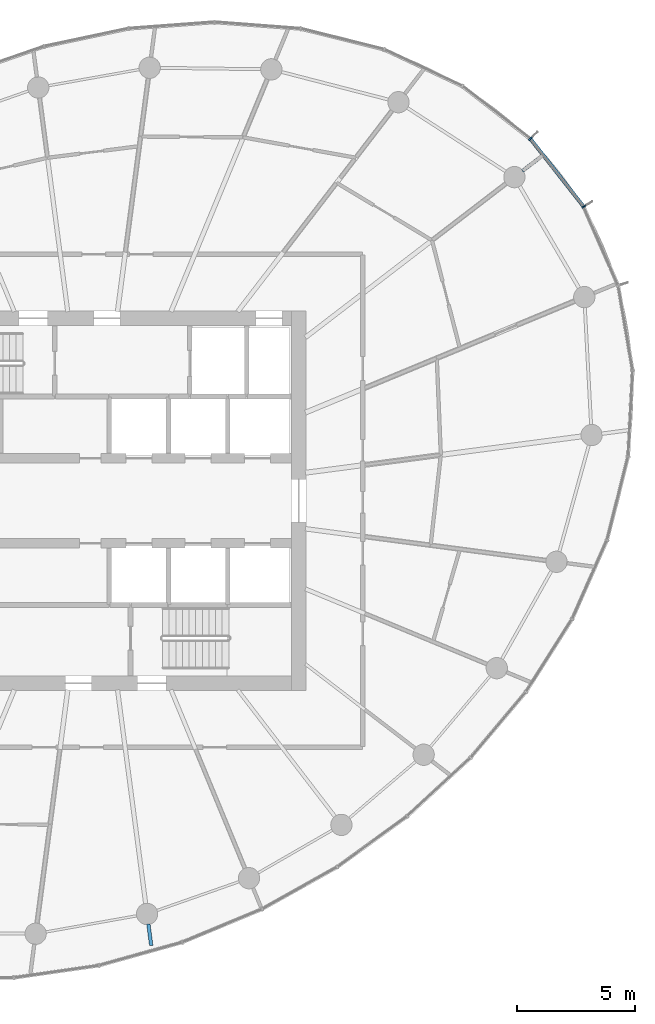
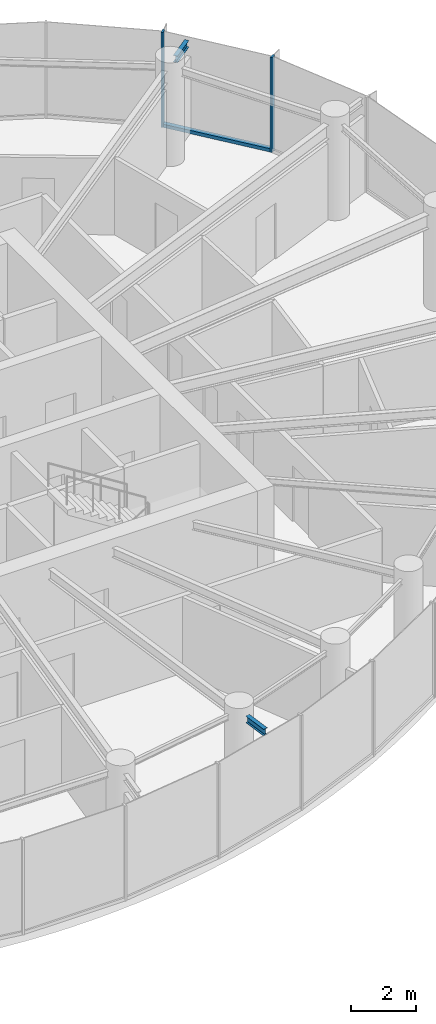
# One storey, part 7 of 14: 3 members, 2 beams, 1 element without a shape of its own.
"""IFC4 building model written with IfcOpenShell, lengths in metres."""

import ifcopenshell
import ifcopenshell.guid

model = None  # the IFC model being written
_history = None  # IfcOwnerHistory: only IFC2X3 demands one
_inside = {}  # id of a spatial element -> (the spatial element, [elements in it])
_under = {}  # id of a project, library or spatial element -> (it, [spatial elements below it])
_declared = {}  # id of a project -> (the project, [libraries it declares])
_typed = {}  # id of a type object -> (the type object, [elements of that type])
_made_of = {}  # id of a material, layer set ... -> (it, [elements and type objects made of it])


def new_model(schema):
    """Start an empty IFC model of exactly this schema.

    Asked for "IFC4X3", IfcOpenShell would pick the latest addendum, in which some entities
    have other attributes; the version numbers below select the first issue.
    IFC2X3 requires an IfcOwnerHistory on every rooted entity: one is made here for all.
    """
    global model, _history
    if schema == "IFC4X3":
        model = ifcopenshell.file(schema_version=(4, 3, 0, 0))
    else:
        model = ifcopenshell.file(schema=schema)
    _inside.clear()
    _under.clear()
    _declared.clear()
    _typed.clear()
    _made_of.clear()
    _history = None
    if model.schema == "IFC2X3":
        org = make("IfcOrganization", Name="unknown")
        user = make(
            "IfcPersonAndOrganization",
            ThePerson=make("IfcPerson", FamilyName="unknown"),
            TheOrganization=org,
        )
        app = make(
            "IfcApplication",
            ApplicationDeveloper=org,
            Version="unknown",
            ApplicationFullName="unknown",
            ApplicationIdentifier="unknown",
        )
        _history = make(
            "IfcOwnerHistory",
            OwningUser=user,
            OwningApplication=app,
            ChangeAction="ADDED",
            CreationDate=0,
        )
    return model


def make(cls, **values):
    """One entity of the class cls with the attributes given. An attribute that is None is left unset."""
    return model.create_entity(
        cls, **{name: value for name, value in values.items() if value is not None}
    )


def rooted(cls, **values):
    """An entity with a GlobalId (a new one), such as an element, a storey or a relation."""
    return make(cls, GlobalId=ifcopenshell.guid.new(), OwnerHistory=_history, **values)


def si_unit(unit_type, name, prefix=None):
    """IfcSIUnit, for example si_unit("LENGTHUNIT", "METRE", prefix="MILLI")."""
    return make("IfcSIUnit", UnitType=unit_type, Prefix=prefix, Name=name)


def assignment(units):
    """IfcUnitAssignment: the units of a project."""
    return None if units is None else make("IfcUnitAssignment", Units=units)


def point(xyz):
    """IfcCartesianPoint."""
    return None if xyz is None else make("IfcCartesianPoint", Coordinates=xyz)


def direction(xyz):
    """IfcDirection."""
    return None if xyz is None else make("IfcDirection", DirectionRatios=xyz)


def frame(location, z_axis=None, x_axis=None):
    """IfcAxis2Placement3D, a coordinate frame: its origin and axes. An axis left out is left unset."""
    return make(
        "IfcAxis2Placement3D",
        Location=point(location),
        Axis=direction(z_axis),
        RefDirection=direction(x_axis),
    )


def frame_2d(location, x_axis=None):
    """IfcAxis2Placement2D, a coordinate frame in the plane: its origin and x axis."""
    return make(
        "IfcAxis2Placement2D", Location=point(location), RefDirection=direction(x_axis)
    )


def origin():
    """The frame at (0, 0, 0) with its axes left unset."""
    return frame((0.0, 0.0, 0.0))


def origin_2d():
    """The frame at (0, 0) in the plane with its x axis left unset."""
    return frame_2d((0.0, 0.0))


def place(relative_to, where):
    """IfcLocalPlacement: puts the frame where relative to a parent placement (None: the world)."""
    return make(
        "IfcLocalPlacement", PlacementRelTo=relative_to, RelativePlacement=where
    )


def context(
    kind, dimensions, precision=None, world=None, true_north=None, identifier=None
):
    """IfcGeometricRepresentationContext, for example the 3D "Model" context."""
    return make(
        "IfcGeometricRepresentationContext",
        ContextIdentifier=identifier,
        ContextType=kind,
        CoordinateSpaceDimension=dimensions,
        Precision=precision,
        WorldCoordinateSystem=world,
        TrueNorth=true_north,
    )


def subcontext(parent, identifier, kind, view, scale=None):
    """IfcGeometricRepresentationSubContext, for example "Body" below "Model"."""
    return make(
        "IfcGeometricRepresentationSubContext",
        ContextIdentifier=identifier,
        ContextType=kind,
        ParentContext=parent,
        TargetScale=scale,
        TargetView=view,
    )


def project(units=None, contexts=None):
    """IfcProject with its units and contexts."""
    return rooted(
        "IfcProject",
        Name="project",
        RepresentationContexts=contexts,
        UnitsInContext=assignment(units),
    )


def spatial(cls, under=None, at=None, **own):
    """A site, building, storey or space (cls), placed at a placement, below another one or the project."""
    s = rooted(cls, ObjectPlacement=at, **own)
    if under is not None:
        _under.setdefault(under.id(), (under, []))[1].append(s)
    return s


def profile(cls, at=None, kind="AREA", **sizes):
    """A parametric profile (cls). Its sizes go by their IFC names, for example OverallWidth=200.0."""
    return make(cls, ProfileType=kind, Position=at, **sizes)


def rectangle(**sizes):
    """IfcRectangleProfileDef."""
    return profile("IfcRectangleProfileDef", **sizes)


def i_section(**sizes):
    """IfcIShapeProfileDef."""
    return profile("IfcIShapeProfileDef", **sizes)


def extrude(swept, where, along, depth):
    """IfcExtrudedAreaSolid: the profile swept, set in the frame where, extruded along a direction by depth."""
    return make(
        "IfcExtrudedAreaSolid",
        SweptArea=swept,
        Position=where,
        ExtrudedDirection=direction(along),
        Depth=depth,
    )


def shape(context_of_items, identifier, shape_type, items):
    """IfcShapeRepresentation: the items that make up one representation, for example the "Body"."""
    return make(
        "IfcShapeRepresentation",
        ContextOfItems=context_of_items,
        RepresentationIdentifier=identifier,
        RepresentationType=shape_type,
        Items=items,
    )


def source(mapping_origin, context_of_items, identifier, shape_type, items):
    """IfcRepresentationMap: a shape defined once, which mapped items show again and again."""
    return make(
        "IfcRepresentationMap",
        MappingOrigin=mapping_origin,
        MappedRepresentation=shape(context_of_items, identifier, shape_type, items),
    )


def transform(
    local_origin,
    x_axis=None,
    y_axis=None,
    z_axis=None,
    scale=None,
    scale2=None,
    scale3=None,
    uniform=True,
):
    """IfcCartesianTransformationOperator3D, or its non-uniform kind. x_axis, y_axis, z_axis: its Axis1, 2, 3."""
    if uniform:
        return make(
            "IfcCartesianTransformationOperator3D",
            Axis1=direction(x_axis),
            Axis2=direction(y_axis),
            LocalOrigin=point(local_origin),
            Scale=scale,
            Axis3=direction(z_axis),
        )
    return make(
        "IfcCartesianTransformationOperator3DnonUniform",
        Axis1=direction(x_axis),
        Axis2=direction(y_axis),
        LocalOrigin=point(local_origin),
        Scale=scale,
        Axis3=direction(z_axis),
        Scale2=scale2,
        Scale3=scale3,
    )


def mapped(mapping_source, mapping_target):
    """IfcMappedItem: shows the shape of a source again, moved by a transform."""
    return make(
        "IfcMappedItem", MappingSource=mapping_source, MappingTarget=mapping_target
    )


def material(Name=None, Category=None):
    """IfcMaterial."""
    return make("IfcMaterial", Name=Name, Category=Category)


def layer(
    of_material, thickness, ventilated=None, Name=None, Category=None, Priority=None
):
    """IfcMaterialLayer: one layer of a wall or slab, of a material (None: an air gap)."""
    return make(
        "IfcMaterialLayer",
        Material=of_material,
        LayerThickness=thickness,
        IsVentilated=ventilated,
        Name=Name,
        Category=Category,
        Priority=Priority,
    )


def layer_set(layers, Name=None):
    """IfcMaterialLayerSet."""
    return make("IfcMaterialLayerSet", MaterialLayers=layers, LayerSetName=Name)


def material_profile(
    of_material, cross_section, Name=None, Category=None, Priority=None
):
    """IfcMaterialProfile: a cross section and its material."""
    return make(
        "IfcMaterialProfile",
        Name=Name,
        Material=of_material,
        Profile=cross_section,
        Priority=Priority,
        Category=Category,
    )


def profile_set(profiles, Name=None, composite=None):
    """IfcMaterialProfileSet."""
    return make(
        "IfcMaterialProfileSet",
        Name=Name,
        MaterialProfiles=profiles,
        CompositeProfile=composite,
    )


def made_of(thing, what):
    """Note that an element or type object is made of a material, layer set ...; save() writes the relation."""
    if what is not None:
        _made_of.setdefault(what.id(), (what, []))[1].append(thing)
    return thing


def type_object(cls, material=None, **own):
    """A type object (cls), such as IfcWallType, which elements share."""
    return made_of(rooted(cls, **own), material)


def element(
    cls,
    number,
    at=None,
    inside=None,
    cuts=None,
    type_object=None,
    material=None,
    context=None,
    identifier="Body",
    shape_type=None,
    held_by="IfcProductDefinitionShape",
    body=None,
    shapes=None,
    **own,
):
    """One element of the class cls, such as IfcWall. Its Tag is "e" and its number.

    at: its placement. inside: the storey or other place that contains it. cuts: it is an
    opening in that element (IfcRelVoidsElement). A single representation is given by context,
    identifier, shape_type and body (its items); several are given by shapes. held_by: the class
    of the entity that holds the representations. save() writes the other relations.
    """
    e = rooted(cls, Tag="e%d" % number, ObjectPlacement=at, **own)
    if body is not None:
        shapes = [shape(context, identifier, shape_type, body)]
    if shapes is not None:
        e.Representation = make(held_by, Representations=shapes)
    if inside is not None:
        _inside.setdefault(inside.id(), (inside, []))[1].append(e)
    if cuts is not None:
        rooted(
            "IfcRelVoidsElement", RelatingBuildingElement=cuts, RelatedOpeningElement=e
        )
    if type_object is not None:
        _typed.setdefault(type_object.id(), (type_object, []))[1].append(e)
    return made_of(e, material)


def aggregate(whole, parts):
    """IfcRelAggregates: a whole, such as a stair, and the parts it consists of."""
    return rooted("IfcRelAggregates", RelatingObject=whole, RelatedObjects=parts)


def save(model, path):
    """Write the relations noted so far, then the file.

    IfcRelAggregates (storeys below a building ...), IfcRelContainedInSpatialStructure (elements
    in a storey), IfcRelDefinesByType, IfcRelAssociatesMaterial and IfcRelDeclares: one each for
    every whole, place, type object, material and project.
    """
    for whole, parts in _under.values():
        aggregate(whole, parts)
    for where, things in _inside.values():
        rooted(
            "IfcRelContainedInSpatialStructure",
            RelatedElements=things,
            RelatingStructure=where,
        )
    for kind, things in _typed.values():
        rooted("IfcRelDefinesByType", RelatedObjects=things, RelatingType=kind)
    for what, things in _made_of.values():
        rooted("IfcRelAssociatesMaterial", RelatedObjects=things, RelatingMaterial=what)
    for by, libraries in _declared.values():
        rooted("IfcRelDeclares", RelatingContext=by, RelatedDefinitions=libraries)
    model.write(path)


model = new_model("IFC4")

# Units and contexts
model_context = context("Model", 3, precision=1e-05, world=origin(), true_north=direction((0.0, 1.0)))
body_context = subcontext(model_context, "Body", "Model", "MODEL_VIEW")
ifc_project = project(units=[si_unit("LENGTHUNIT", "METRE"), si_unit("AREAUNIT", "SQUARE_METRE"), si_unit("VOLUMEUNIT", "CUBIC_METRE"), si_unit("PLANEANGLEUNIT", "RADIAN"), si_unit("MASSUNIT", "GRAM", prefix="KILO")], contexts=[model_context])

# Site, building, storey
site_placement = place(None, origin())
site = spatial("IfcSite", under=ifc_project, at=site_placement, CompositionType="ELEMENT")
building_placement = place(site_placement, origin())
building = spatial("IfcBuilding", under=site, at=building_placement, Name="Spindrift Exchange Tower", CompositionType="ELEMENT")
storey_placement = place(building_placement, frame((0.0, 0.0, 211.10009765625)))
storey = spatial("IfcBuildingStorey", under=building, at=storey_placement, Name="L51", CompositionType="ELEMENT", Elevation=211.10009765625)

# Beams
ifc_material_1 = material(Name="Steel Grade 300", Category="steel")
ifc_material_profile_1 = material_profile(ifc_material_1, i_section(OverallWidth=0.14599609375, OverallDepth=0.251953125, WebThickness=0.006103515625, FlangeThickness=0.008544921875, FilletRadius=0.011962890625, at=origin_2d()), Name="250UB31.4")
ifc_profile_set_1 = profile_set([ifc_material_profile_1], Name="Steel Grade 300")
beam_type = type_object("IfcBeamType", Name="Cantilever Beam 250UB31.4 Steel Grade 300", PredefinedType="BEAM", material=ifc_profile_set_1)
shared_shape_1 = source(origin(), body_context, "Body", "SweptSolid", [
    extrude(i_section(OverallWidth=0.14599609375, OverallDepth=0.251953125, WebThickness=0.006103515625, FlangeThickness=0.008544921875, FilletRadius=0.011962890625, at=origin_2d()), origin(), (0.0, 0.0, 1.0), 0.919189453125),
])
beam_1_placement = place(storey_placement, frame((70.143310546875, 61.921875, 3.453857421875), z_axis=(0.793354073144, 0.608760473936, 0.0), x_axis=(-0.608760473936, 0.793354073144, 0.0)))
element("IfcBeam", 1, at=beam_1_placement, inside=storey, type_object=beam_type, Name="L51 cantilever beam R03T", PredefinedType="BEAM", context=body_context, shape_type="MappedRepresentation", body=[
    mapped(shared_shape_1, transform((0.0, 0.0, 0.0), scale=1.0)),
])
shared_shape_2 = source(origin(), body_context, "Body", "SweptSolid", [
    extrude(i_section(OverallWidth=0.14599609375, OverallDepth=0.251953125, WebThickness=0.006103515625, FlangeThickness=0.008544921875, FilletRadius=0.011962890625, at=origin_2d()), origin(), (0.0, 0.0, 1.0), 0.9130859375),
])
beam_2_placement = place(storey_placement, frame((54.3525390625, 30.131103515625, 3.453857421875), z_axis=(0.130482178954, -0.991450654836, 0.0), x_axis=(0.991450654836, 0.130482178954, 0.0)))
element("IfcBeam", 2, at=beam_2_placement, inside=storey, type_object=beam_type, Name="L51 cantilever beam R19T", PredefinedType="BEAM", context=body_context, shape_type="MappedRepresentation", body=[
    mapped(shared_shape_2, transform((0.0, 0.0, 0.0), scale=1.0)),
])

# Curtain wall, members
ifc_material_2 = material(Name="Fritted laminated glass with bronze frame", Category="glass")
ifc_layer = layer(ifc_material_2, 0.169921875)
ifc_layer_set = layer_set([ifc_layer], Name="ZONE 4 BRONZE FRITTED WALL")
curtain_wall_type = type_object("IfcCurtainWallType", Name="ZONE 4 BRONZE FRITTED WALL", PredefinedType="NOTDEFINED", material=ifc_layer_set)
curtain_wall_placement = place(storey_placement, origin())
curtain_wall = element("IfcCurtainWall", 3, at=curtain_wall_placement, inside=storey, type_object=curtain_wall_type, Name="L51 Zone 4 Bronze Fritted Wall run 1", PredefinedType="NOTDEFINED")
ifc_material_3 = material(Name="Bronze anodised aluminium", Category="aluminium")
ifc_material_profile_2 = material_profile(ifc_material_3, rectangle(XDim=0.06494140625, YDim=0.169921875, at=origin_2d()), Name="ZONE 4 BRONZE FRITTED WALL MULLION 65X170")
ifc_profile_set_2 = profile_set([ifc_material_profile_2], Name="Bronze anodised aluminium")
member_type_1 = type_object("IfcMemberType", Name="ZONE 4 BRONZE FRITTED WALL MULLION 65X170", PredefinedType="MULLION", material=ifc_profile_set_2)
shared_shape_3 = source(origin(), body_context, "Body", "SweptSolid", [
    extrude(rectangle(XDim=0.06494140625, YDim=0.169921875, at=origin_2d()), origin(), (0.0, 0.0, 1.0), 3.579833984375),
])
member_1_placement = place(storey_placement, frame((72.726318359375, 60.415771484375, 0.0), z_axis=(0.0, 0.0, 1.0), x_axis=(-0.513877690784, 0.857863461697, 0.0)))
member_1 = element("IfcMember", 4, at=member_1_placement, type_object=member_type_1, Name="L51 mullion CW-4.1", PredefinedType="MULLION", context=body_context, shape_type="MappedRepresentation", body=[
    mapped(shared_shape_3, transform((0.0, 0.0, 0.0), scale=1.0)),
])
member_2_placement = place(storey_placement, frame((70.479248046875, 63.273193359375, 0.0), z_axis=(0.0, 0.0, 1.0), x_axis=(-0.709241939571, 0.704965155986, 0.0)))
member_2 = element("IfcMember", 5, at=member_2_placement, type_object=member_type_1, Name="L51 mullion CW-4.2", PredefinedType="MULLION", context=body_context, shape_type="MappedRepresentation", body=[
    mapped(shared_shape_3, transform((0.0, 0.0, 0.0), scale=1.0)),
])
ifc_material_profile_3 = material_profile(ifc_material_3, rectangle(XDim=0.14990234375, YDim=0.125, at=origin_2d()), Name="ZONE 4 BRONZE FRITTED WALL TRANSOM 150X125")
ifc_profile_set_3 = profile_set([ifc_material_profile_3], Name="Bronze anodised aluminium")
member_type_2 = type_object("IfcMemberType", Name="ZONE 4 BRONZE FRITTED WALL TRANSOM 150X125", PredefinedType="USERDEFINED", material=ifc_profile_set_3)
shared_shape_4 = source(origin(), body_context, "Body", "SweptSolid", [
    extrude(rectangle(XDim=0.14990234375, YDim=0.125, at=origin_2d()), origin(), (0.0, 0.0, 1.0), 3.570556640625),
])
member_3_placement = place(storey_placement, frame((72.706298828125, 60.441162109375, 0.0625), z_axis=(-0.618135566115, 0.786071511953, 0.0), x_axis=(-0.786071511953, -0.618135566115, 0.0)))
member_3 = element("IfcMember", 6, at=member_3_placement, type_object=member_type_2, Name="L51 transom CW-4.1", ObjectType="TRANSOM", PredefinedType="USERDEFINED", context=body_context, shape_type="MappedRepresentation", body=[
    mapped(shared_shape_4, transform((0.0, 0.0, 0.0), scale=1.0)),
])
aggregate(curtain_wall, [member_1, member_3, member_2])

save(model, "model.ifc")
